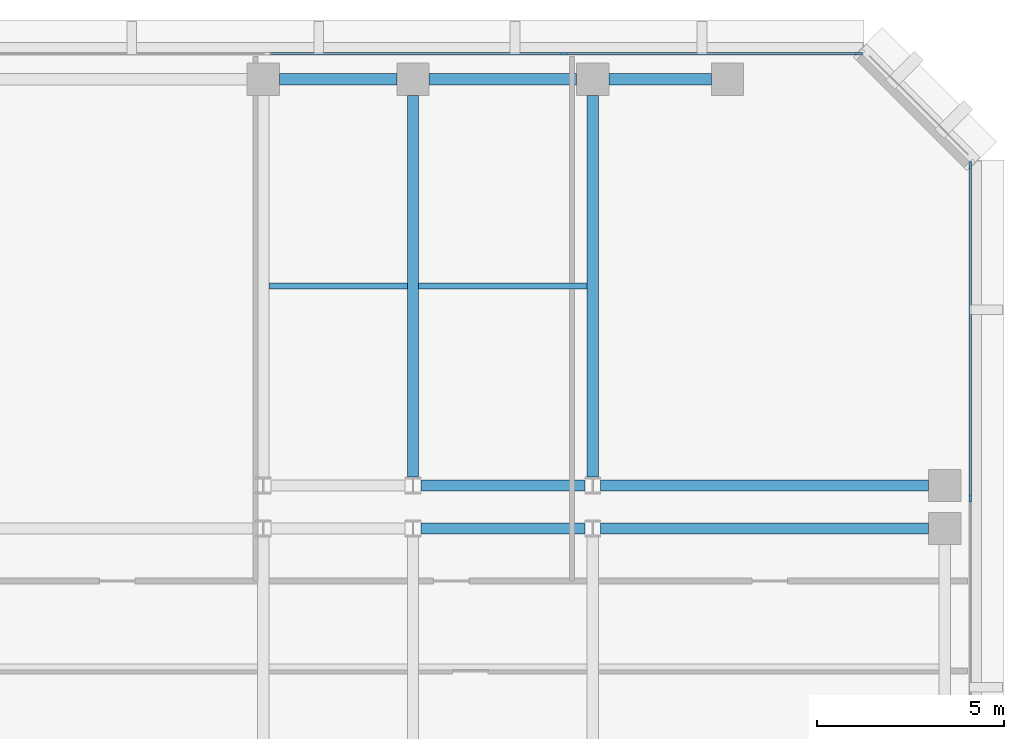
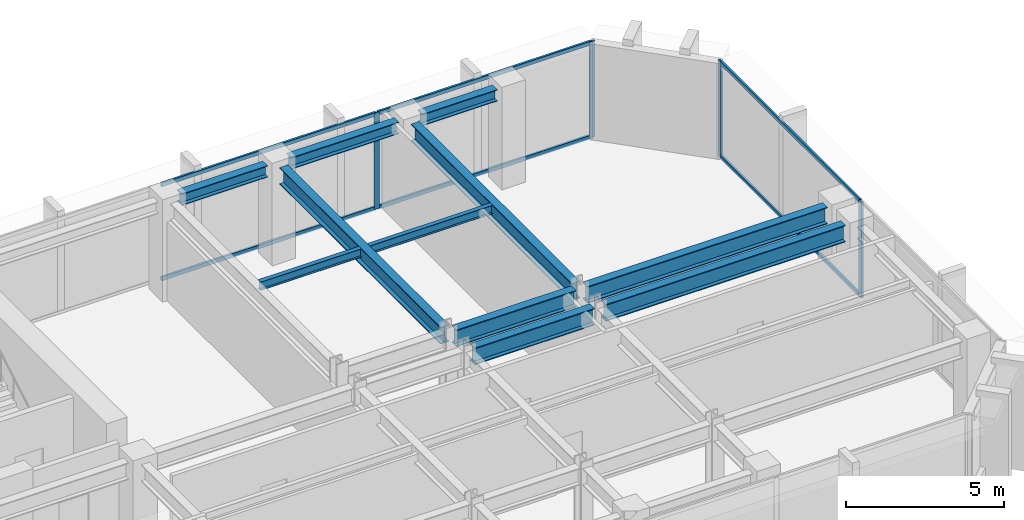
# One storey, part 5 of 11: 11 beams, 10 members, 2 elements without a shape of their own.
"""IFC4 building model written with IfcOpenShell, lengths in metres."""

from ifc_helpers import new_model, si_unit, direction, frame, origin, origin_2d, place, context, subcontext, project, spatial, rectangle, i_section, extrude, material, layer, layer_set, material_profile, profile_set, type_object, element, aggregate, save


model = new_model("IFC4")

# Units and contexts
model_context = context("Model", 3, precision=1e-05, world=origin(), true_north=direction((0.0, 1.0)))
body_context = subcontext(model_context, "Body", "Model", "MODEL_VIEW")
ifc_project = project(units=[si_unit("LENGTHUNIT", "METRE"), si_unit("AREAUNIT", "SQUARE_METRE"), si_unit("VOLUMEUNIT", "CUBIC_METRE"), si_unit("PLANEANGLEUNIT", "RADIAN"), si_unit("MASSUNIT", "GRAM", prefix="KILO")], contexts=[model_context])

# Site, building, storey
site_placement = place(None, origin())
site = spatial("IfcSite", under=ifc_project, at=site_placement, CompositionType="ELEMENT")
building_placement = place(site_placement, origin())
building = spatial("IfcBuilding", under=site, at=building_placement, Name="Kefirva Bronze Tower", CompositionType="ELEMENT")
storey_placement = place(building_placement, frame((0.0, 0.0, 166.64990234375)))
storey = spatial("IfcBuildingStorey", under=building, at=storey_placement, Name="L40", CompositionType="ELEMENT", Elevation=166.64990234375)

# Curtain wall, members
ifc_material_1 = material(Name="Bronze anodised aluminium", Category="aluminium")
ifc_layer = layer(ifc_material_1, 0.199951171875, Name="Bronze anodised aluminium")
ifc_layer_set = layer_set([ifc_layer], Name="Bronze anodised aluminium")
curtain_wall_type = type_object("IfcCurtainWallType", Name="Unitised Bronze Ribbon Curtain Wall Zone 2", PredefinedType="USERDEFINED", material=ifc_layer_set)
curtain_wall_1_placement = place(storey_placement, origin())
curtain_wall_1 = element("IfcCurtainWall", 1, at=curtain_wall_1_placement, inside=storey, type_object=curtain_wall_type, Name="L40 Curtain Wall 4", ObjectType="UNITISED CURTAIN WALL", PredefinedType="USERDEFINED")
ifc_material_profile_1 = material_profile(ifc_material_1, rectangle(XDim=0.074951171875, YDim=0.179931640625, at=origin_2d()), Name="ALU 75x180")
ifc_profile_set_1 = profile_set([ifc_material_profile_1], Name="Bronze anodised aluminium")
member_type_1 = type_object("IfcMemberType", Name="Bronze Mullion 75x180", PredefinedType="MULLION", material=ifc_profile_set_1)
member_1_placement = place(storey_placement, frame((50.080078125, 34.0, 0.0), z_axis=(0.0, 0.0, 1.0), x_axis=(-1.0, 0.0, 0.0)))
member_1 = element("IfcMember", 2, at=member_1_placement, type_object=member_type_1, Name="CW-02 mullion 2", PredefinedType="MULLION", context=body_context, shape_type="SweptSolid", body=[
    extrude(rectangle(XDim=0.074951171875, YDim=0.179931640625, at=origin_2d()), origin(), (0.0, 0.0, 1.0), 3.710205078125),
])
member_2_placement = place(storey_placement, frame((50.080078125, 42.907470703125, 0.0), z_axis=(0.0, 0.0, 1.0), x_axis=(-1.0, 0.0, 0.0)))
member_2 = element("IfcMember", 3, at=member_2_placement, type_object=member_type_1, Name="CW-02 mullion 3", PredefinedType="MULLION", context=body_context, shape_type="SweptSolid", body=[
    extrude(rectangle(XDim=0.074951171875, YDim=0.179931640625, at=origin_2d()), origin(), (0.0, 0.0, 1.0), 3.710205078125),
])

curtain_wall_2_placement = place(storey_placement, origin())
curtain_wall_2 = element("IfcCurtainWall", 4, at=curtain_wall_2_placement, inside=storey, type_object=curtain_wall_type, Name="L40 Curtain Wall 5", ObjectType="UNITISED CURTAIN WALL", PredefinedType="USERDEFINED")
member_3_placement = place(storey_placement, frame((47.107421875, 45.8798828125, 0.0), z_axis=(0.0, 0.0, 1.0), x_axis=(0.0, -1.0, 0.0)))
member_3 = element("IfcMember", 5, at=member_3_placement, type_object=member_type_1, Name="CW-02 mullion 1", PredefinedType="MULLION", context=body_context, shape_type="SweptSolid", body=[
    extrude(rectangle(XDim=0.074951171875, YDim=0.179931640625, at=origin_2d()), origin(), (0.0, 0.0, 1.0), 3.710205078125),
])
member_4_placement = place(storey_placement, frame((39.231689453125, 45.8798828125, 0.0), z_axis=(0.0, 0.0, 1.0), x_axis=(0.0, -1.0, 0.0)))
member_4 = element("IfcMember", 6, at=member_4_placement, type_object=member_type_1, Name="CW-02 mullion 2", PredefinedType="MULLION", context=body_context, shape_type="SweptSolid", body=[
    extrude(rectangle(XDim=0.074951171875, YDim=0.179931640625, at=origin_2d()), origin(), (0.0, 0.0, 1.0), 3.710205078125),
])

# Member
ifc_material_profile_2 = material_profile(ifc_material_1, rectangle(XDim=0.074951171875, YDim=0.14990234375, at=origin_2d()), Name="ALU 75x150")
ifc_profile_set_2 = profile_set([ifc_material_profile_2], Name="Bronze anodised aluminium")
member_type_2 = type_object("IfcMemberType", Name="Bronze Transom 75x150", PredefinedType="USERDEFINED", material=ifc_profile_set_2)
member_5_placement = place(storey_placement, frame((50.080078125, 34.03759765625, 0.03759765625), z_axis=(0.0, 1.0, 0.0), x_axis=(-1.0, 0.0, 0.0)))
member_5 = element("IfcMember", 7, at=member_5_placement, type_object=member_type_2, Name="CW-02 transom 2.1", ObjectType="TRANSOM", PredefinedType="USERDEFINED", context=body_context, shape_type="SweptSolid", body=[
    extrude(rectangle(XDim=0.074951171875, YDim=0.14990234375, at=origin_2d()), origin(), (0.0, 0.0, 1.0), 8.83251953125),
])

member_6_placement = place(storey_placement, frame((50.080078125, 34.03759765625, 3.672607421875), z_axis=(0.0, 1.0, 0.0), x_axis=(-1.0, 0.0, 0.0)))
member_6 = element("IfcMember", 8, at=member_6_placement, type_object=member_type_2, Name="CW-02 transom 2.2", ObjectType="TRANSOM", PredefinedType="USERDEFINED", context=body_context, shape_type="SweptSolid", body=[
    extrude(rectangle(XDim=0.074951171875, YDim=0.14990234375, at=origin_2d()), origin(), (0.0, 0.0, 1.0), 8.83251953125),
])

aggregate(curtain_wall_1, [member_1, member_2, member_5, member_6])

member_7_placement = place(storey_placement, frame((47.070068359375, 45.8798828125, 0.03759765625), z_axis=(-1.0, 0.0, 0.0), x_axis=(0.0, -1.0, 0.0)))
member_7 = element("IfcMember", 9, at=member_7_placement, type_object=member_type_2, Name="CW-02 transom 1.1", ObjectType="TRANSOM", PredefinedType="USERDEFINED", context=body_context, shape_type="SweptSolid", body=[
    extrude(rectangle(XDim=0.074951171875, YDim=0.14990234375, at=origin_2d()), origin(), (0.0, 0.0, 1.0), 7.80078125),
])

member_8_placement = place(storey_placement, frame((47.070068359375, 45.8798828125, 3.672607421875), z_axis=(-1.0, 0.0, 0.0), x_axis=(0.0, -1.0, 0.0)))
member_8 = element("IfcMember", 10, at=member_8_placement, type_object=member_type_2, Name="CW-02 transom 1.2", ObjectType="TRANSOM", PredefinedType="USERDEFINED", context=body_context, shape_type="SweptSolid", body=[
    extrude(rectangle(XDim=0.074951171875, YDim=0.14990234375, at=origin_2d()), origin(), (0.0, 0.0, 1.0), 7.80078125),
])

member_9_placement = place(storey_placement, frame((39.194091796875, 45.8798828125, 0.03759765625), z_axis=(-1.0, 0.0, 0.0), x_axis=(0.0, -1.0, 0.0)))
member_9 = element("IfcMember", 11, at=member_9_placement, type_object=member_type_2, Name="CW-02 transom 2.1", ObjectType="TRANSOM", PredefinedType="USERDEFINED", context=body_context, shape_type="SweptSolid", body=[
    extrude(rectangle(XDim=0.074951171875, YDim=0.14990234375, at=origin_2d()), origin(), (0.0, 0.0, 1.0), 7.83837890625),
])

member_10_placement = place(storey_placement, frame((39.194091796875, 45.8798828125, 3.672607421875), z_axis=(-1.0, 0.0, 0.0), x_axis=(0.0, -1.0, 0.0)))
member_10 = element("IfcMember", 12, at=member_10_placement, type_object=member_type_2, Name="CW-02 transom 2.2", ObjectType="TRANSOM", PredefinedType="USERDEFINED", context=body_context, shape_type="SweptSolid", body=[
    extrude(rectangle(XDim=0.074951171875, YDim=0.14990234375, at=origin_2d()), origin(), (0.0, 0.0, 1.0), 7.83837890625),
])

aggregate(curtain_wall_2, [member_3, member_4, member_7, member_8, member_9, member_10])

# Beams
ifc_material_2 = material(Name="Steel S355", Category="steel")
ifc_material_profile_3 = material_profile(ifc_material_2, i_section(OverallWidth=0.159912109375, OverallDepth=0.330078125, WebThickness=0.007568359375, FlangeThickness=0.011474609375, at=origin_2d()), Name="IPE 330")
ifc_profile_set_3 = profile_set([ifc_material_profile_3], Name="Steel S355")
beam_type_1 = type_object("IfcBeamType", Name="Steel Floor Joist IPE 330", PredefinedType="JOIST", material=ifc_profile_set_3)
beam_1_placement = place(storey_placement, frame((31.35009765625, 39.673583984375, 3.545166015625), z_axis=(1.0, 0.0, 0.0), x_axis=(0.0, 1.0, 0.0)))
element("IfcBeam", 13, at=beam_1_placement, inside=storey, type_object=beam_type_1, Name="L40 JST-L40-31-396", PredefinedType="JOIST", context=body_context, shape_type="SweptSolid", body=[
    extrude(i_section(OverallWidth=0.159912109375, OverallDepth=0.330078125, WebThickness=0.007568359375, FlangeThickness=0.011474609375, at=origin_2d()), origin(), (0.0, 0.0, 1.0), 3.699951171875),
])
beam_2_placement = place(storey_placement, frame((35.35009765625, 39.673583984375, 3.545166015625), z_axis=(1.0, 0.0, 0.0), x_axis=(0.0, 1.0, 0.0)))
element("IfcBeam", 14, at=beam_2_placement, inside=storey, type_object=beam_type_1, Name="L40 JST-L40-35-396", PredefinedType="JOIST", context=body_context, shape_type="SweptSolid", body=[
    extrude(i_section(OverallWidth=0.159912109375, OverallDepth=0.330078125, WebThickness=0.007568359375, FlangeThickness=0.011474609375, at=origin_2d()), origin(), (0.0, 0.0, 1.0), 4.5),
])
ifc_material_profile_4 = material_profile(ifc_material_2, i_section(OverallWidth=0.300048828125, OverallDepth=0.64990234375, WebThickness=0.01611328125, FlangeThickness=0.031005859375, at=origin_2d()), Name="HEB 650")
ifc_profile_set_4 = profile_set([ifc_material_profile_4], Name="Steel S355")
beam_type_2 = type_object("IfcBeamType", Name="Steel Girder HEB 650", PredefinedType="USERDEFINED", material=ifc_profile_set_4)
beam_3_placement = place(storey_placement, frame((35.408935546875, 33.199951171875, 3.385009765625), z_axis=(1.0, 0.0, 0.0), x_axis=(0.0, 1.0, 0.0)))
element("IfcBeam", 15, at=beam_3_placement, inside=storey, type_object=beam_type_2, Name="L40 BM-L40-EW-35-332", ObjectType="GIRDER", PredefinedType="USERDEFINED", context=body_context, shape_type="SweptSolid", body=[
    extrude(i_section(OverallWidth=0.300048828125, OverallDepth=0.64990234375, WebThickness=0.01611328125, FlangeThickness=0.031005859375, at=origin_2d()), origin(), (0.0, 0.0, 1.0), 4.382080078125),
])
beam_4_placement = place(storey_placement, frame((40.208984375, 33.199951171875, 3.385009765625), z_axis=(1.0, 0.0, 0.0), x_axis=(0.0, 1.0, 0.0)))
element("IfcBeam", 16, at=beam_4_placement, inside=storey, type_object=beam_type_2, Name="L40 BM-L40-EW-40-332", ObjectType="GIRDER", PredefinedType="USERDEFINED", context=body_context, shape_type="SweptSolid", body=[
    extrude(i_section(OverallWidth=0.300048828125, OverallDepth=0.64990234375, WebThickness=0.01611328125, FlangeThickness=0.031005859375, at=origin_2d()), origin(), (0.0, 0.0, 1.0), 8.760986328125),
])
beam_5_placement = place(storey_placement, frame((35.408935546875, 34.35009765625, 3.385009765625), z_axis=(1.0, 0.0, 0.0), x_axis=(0.0, 1.0, 0.0)))
element("IfcBeam", 17, at=beam_5_placement, inside=storey, type_object=beam_type_2, Name="L40 BM-L40-EW-35-344", ObjectType="GIRDER", PredefinedType="USERDEFINED", context=body_context, shape_type="SweptSolid", body=[
    extrude(i_section(OverallWidth=0.300048828125, OverallDepth=0.64990234375, WebThickness=0.01611328125, FlangeThickness=0.031005859375, at=origin_2d()), origin(), (0.0, 0.0, 1.0), 4.382080078125),
])
beam_6_placement = place(storey_placement, frame((40.208984375, 34.35009765625, 3.385009765625), z_axis=(1.0, 0.0, 0.0), x_axis=(0.0, 1.0, 0.0)))
element("IfcBeam", 18, at=beam_6_placement, inside=storey, type_object=beam_type_2, Name="L40 BM-L40-EW-40-344", ObjectType="GIRDER", PredefinedType="USERDEFINED", context=body_context, shape_type="SweptSolid", body=[
    extrude(i_section(OverallWidth=0.300048828125, OverallDepth=0.64990234375, WebThickness=0.01611328125, FlangeThickness=0.031005859375, at=origin_2d()), origin(), (0.0, 0.0, 1.0), 8.760986328125),
])
for number, where, z_axis, x_axis, name in (
    (19, (35.199951171875, 34.577392578125, 3.385009765625), (0.0, 1.0, 0.0), (-1.0, 0.0, 0.0), "L40 BM-L40-NS-352-34"),
    (20, (40.0, 34.577392578125, 3.385009765625), (0.0, 1.0, 0.0), (-1.0, 0.0, 0.0), "L40 BM-L40-NS-400-34"),
):
    element("IfcBeam", number, at=place(storey_placement, frame(where, z_axis=z_axis, x_axis=x_axis)), inside=storey, type_object=beam_type_2, Name=name, ObjectType="GIRDER", PredefinedType="USERDEFINED", context=body_context, shape_type="SweptSolid", body=[
        extrude(i_section(OverallWidth=0.300048828125, OverallDepth=0.64990234375, WebThickness=0.01611328125, FlangeThickness=0.031005859375, at=origin_2d()), origin(), (0.0, 0.0, 1.0), 10.192626953125),
    ])
ifc_material_profile_5 = material_profile(ifc_material_2, i_section(OverallWidth=0.300048828125, OverallDepth=0.449951171875, WebThickness=0.013916015625, FlangeThickness=0.02587890625, at=origin_2d()), Name="HEB 450")
ifc_profile_set_5 = profile_set([ifc_material_profile_5], Name="Steel S355")
beam_type_3 = type_object("IfcBeamType", Name="Steel Spandrel HEB 450 Ext", PredefinedType="SPANDREL", material=ifc_profile_set_5)
beam_7_placement = place(storey_placement, frame((31.6298828125, 45.199951171875, 3.485107421875), z_axis=(1.0, 0.0, 0.0), x_axis=(0.0, 1.0, 0.0)))
element("IfcBeam", 21, at=beam_7_placement, inside=storey, type_object=beam_type_3, Name="L40 BM-L40-EW-31-452", PredefinedType="SPANDREL", context=body_context, shape_type="SweptSolid", body=[
    extrude(i_section(OverallWidth=0.300048828125, OverallDepth=0.449951171875, WebThickness=0.013916015625, FlangeThickness=0.02587890625, at=origin_2d()), origin(), (0.0, 0.0, 1.0), 3.14013671875),
])
beam_8_placement = place(storey_placement, frame((35.6298828125, 45.199951171875, 3.485107421875), z_axis=(1.0, 0.0, 0.0), x_axis=(0.0, 1.0, 0.0)))
element("IfcBeam", 22, at=beam_8_placement, inside=storey, type_object=beam_type_3, Name="L40 BM-L40-EW-35-452", PredefinedType="SPANDREL", context=body_context, shape_type="SweptSolid", body=[
    extrude(i_section(OverallWidth=0.300048828125, OverallDepth=0.449951171875, WebThickness=0.013916015625, FlangeThickness=0.02587890625, at=origin_2d()), origin(), (0.0, 0.0, 1.0), 3.940185546875),
])
beam_9_placement = place(storey_placement, frame((40.429931640625, 45.199951171875, 3.485107421875), z_axis=(1.0, 0.0, 0.0), x_axis=(0.0, 1.0, 0.0)))
element("IfcBeam", 23, at=beam_9_placement, inside=storey, type_object=beam_type_3, Name="L40 BM-L40-EW-40-452", PredefinedType="SPANDREL", context=body_context, shape_type="SweptSolid", body=[
    extrude(i_section(OverallWidth=0.300048828125, OverallDepth=0.449951171875, WebThickness=0.013916015625, FlangeThickness=0.02587890625, at=origin_2d()), origin(), (0.0, 0.0, 1.0), 2.739990234375),
])

save(model, "model.ifc")
